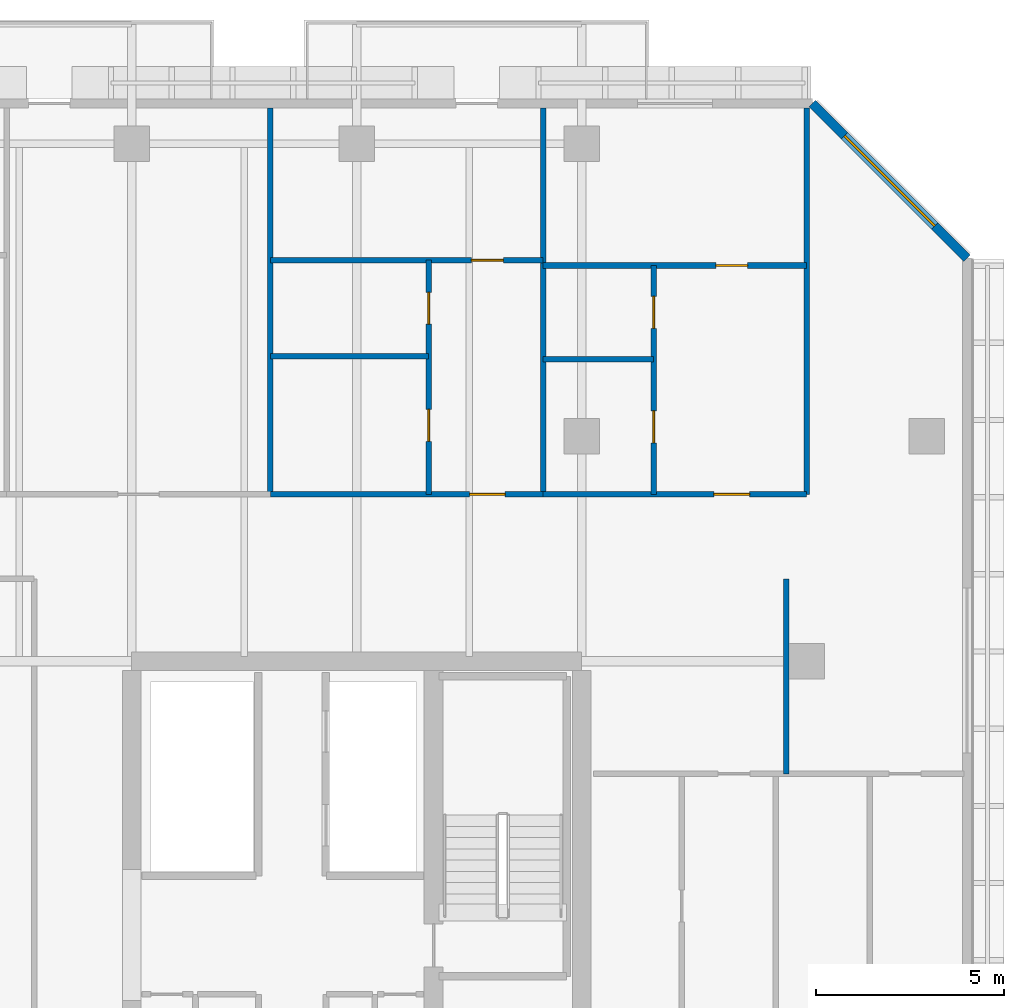
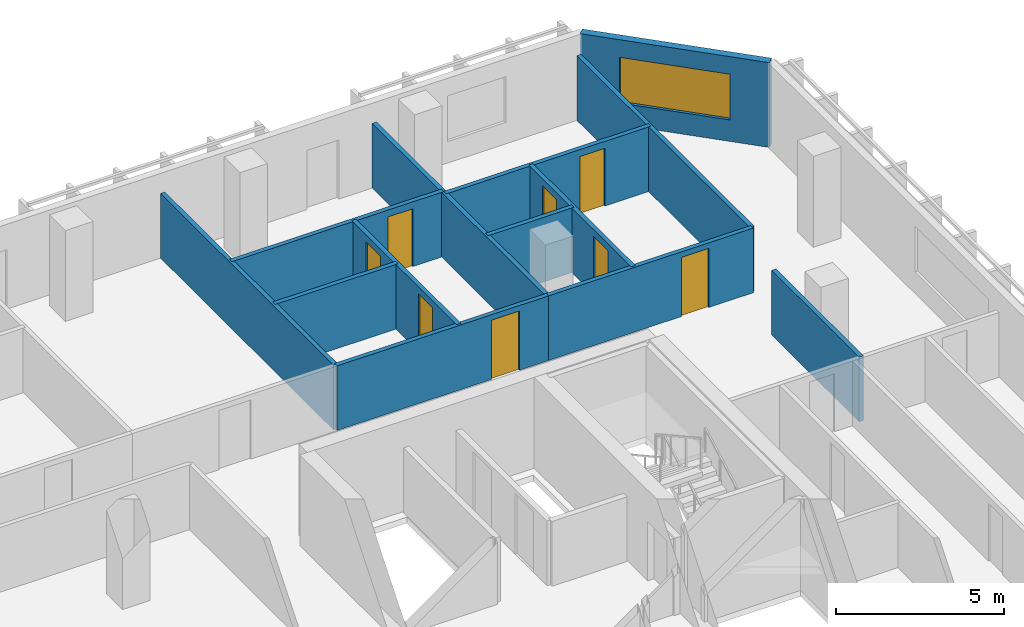
# One storey, part 16 of 23: 13 walls, 8 doors, 1 window, 9 openings.
"""IFC4 building model written with IfcOpenShell, lengths in metres."""

from ifc_helpers import new_model, si_unit, direction, frame, frame_2d, origin, place, context, subcontext, project, spatial, rectangle, extrude, material, layer, layer_set, type_object, element, fill, save


model = new_model("IFC4")

# Units and contexts
model_context = context("Model", 3, precision=1e-05, world=origin(), true_north=direction((0.0, 1.0)))
body_context = subcontext(model_context, "Body", "Model", "MODEL_VIEW")
ifc_project = project(units=[si_unit("LENGTHUNIT", "METRE"), si_unit("AREAUNIT", "SQUARE_METRE"), si_unit("VOLUMEUNIT", "CUBIC_METRE"), si_unit("PLANEANGLEUNIT", "RADIAN"), si_unit("MASSUNIT", "GRAM", prefix="KILO")], contexts=[model_context])

# Site, building, storey
site_placement = place(None, origin())
site = spatial("IfcSite", under=ifc_project, at=site_placement, CompositionType="ELEMENT")
building_placement = place(site_placement, origin())
building = spatial("IfcBuilding", under=site, at=building_placement, Name="Tanjung Sevakor Pilgrim Tower", CompositionType="ELEMENT")
storey_placement = place(building_placement, frame((0.0, 0.0, 105.27001953125)))
storey = spatial("IfcBuildingStorey", under=building, at=storey_placement, Name="L29", CompositionType="ELEMENT", Elevation=105.27001953125)

# Walls
ifc_material_1 = material(Name="Concrete C40/50", Category="concrete")
ifc_layer_1 = layer(ifc_material_1, 0.14990234375)
ifc_layer_set_1 = layer_set([ifc_layer_1], Name="WT-COMP-150")
wall_type_1 = type_object("IfcWallType", Name="WT-COMP-150", PredefinedType="SOLIDWALL", material=ifc_layer_set_1)
for number, where, z_axis, x_axis, name in (
    (1, (96.0, 47.050048828125, 0.0), (0.0, 0.0, 1.0), (0.0, 1.0, 0.0), "L29 Partition IW-L29-092"),
    (2, (81.696533203125, 47.050048828125, 0.0), (0.0, 0.0, 1.0), (0.0, 1.0, 0.0), "L29 Partition IW-L29-105"),
    (3, (88.969482421875, 47.050048828125, 0.0), (0.0, 0.0, 1.0), (0.0, 1.0, 0.0), "L29 Partition IW-L29-107"),
):
    element("IfcWall", number, at=place(storey_placement, frame(where, z_axis=z_axis, x_axis=x_axis)), inside=storey, type_object=wall_type_1, Name=name, PredefinedType="SOLIDWALL", context=body_context, shape_type="SweptSolid", body=[
        extrude(rectangle(XDim=10.300048828125, YDim=0.14990234375, at=frame_2d((5.14990234375, 0.0))), origin(), (0.0, 0.0, 1.0), 2.35009765625),
    ])

# Wall, opening, door
wall_1_placement = place(storey_placement, frame((81.696533203125, 47.050048828125, 0.0), z_axis=(0.0, 0.0, 1.0), x_axis=(1.0, 0.0, 0.0)))
wall_1 = element("IfcWall", 4, at=wall_1_placement, inside=storey, type_object=wall_type_1, Name="L29 Partition IW-L29-111", PredefinedType="SOLIDWALL", context=body_context, shape_type="SweptSolid", body=[
    extrude(rectangle(XDim=7.27294921875, YDim=0.14990234375, at=frame_2d((3.636474609375, 0.0))), origin(), (0.0, 0.0, 1.0), 2.35009765625),
])
opening_1_placement = place(wall_1_placement, frame((5.313232421875, 0.0, 0.0)))
opening_1 = element("IfcOpeningElement", 5, at=opening_1_placement, cuts=wall_1, Name="Opening ID-FD2", PredefinedType="OPENING", context=body_context, shape_type="SweptSolid", body=[
    extrude(rectangle(XDim=0.949951171875, YDim=2.14990234375, at=frame_2d((0.47509765625, 1.074951171875))), frame((0.0, 0.0849609375, 0.0), z_axis=(0.0, -1.0, 0.0), x_axis=(1.0, 0.0, 0.0)), (0.0, 0.0, 1.0), 0.169921875),
])
ifc_material_2 = material(Name="Fire-Rated Timber", Category="wood")
door_type_1 = type_object("IfcDoorType", Name="DT-FIRE-950", OperationType="NOTDEFINED", PredefinedType="DOOR", material=ifc_material_2)
door_1_placement = place(opening_1_placement, origin())
door_1 = element("IfcDoor", 6, at=door_1_placement, inside=storey, type_object=door_type_1, Name="Residence Entrance", OperationType="SINGLE_SWING_LEFT", OverallHeight=2.14990234375, OverallWidth=0.949951171875, PredefinedType="DOOR", context=body_context, shape_type="SweptSolid", body=[
    extrude(rectangle(XDim=0.949951171875, YDim=2.14990234375, at=frame_2d((0.47509765625, 1.074951171875))), frame((0.0, 0.02490234375, 0.0), z_axis=(0.0, -1.0, 0.0), x_axis=(1.0, 0.0, 0.0)), (0.0, 0.0, 1.0), 0.050048828125),
])
fill(opening_1, door_1)

wall_2_placement = place(storey_placement, frame((88.969482421875, 47.050048828125, 0.0), z_axis=(0.0, 0.0, 1.0), x_axis=(1.0, 0.0, 0.0)))
wall_2 = element("IfcWall", 7, at=wall_2_placement, inside=storey, type_object=wall_type_1, Name="L29 Partition IW-L29-115", PredefinedType="SOLIDWALL", context=body_context, shape_type="SweptSolid", body=[
    extrude(rectangle(XDim=7.030517578125, YDim=0.14990234375, at=frame_2d((3.51513671875, 0.0))), origin(), (0.0, 0.0, 1.0), 2.35009765625),
])
opening_2_placement = place(wall_2_placement, frame((4.555419921875, 0.0, 0.0)))
opening_2 = element("IfcOpeningElement", 8, at=opening_2_placement, cuts=wall_2, Name="Opening ID-FD2", PredefinedType="OPENING", context=body_context, shape_type="SweptSolid", body=[
    extrude(rectangle(XDim=0.949951171875, YDim=2.14990234375, at=frame_2d((0.47509765625, 1.074951171875))), frame((0.0, 0.0849609375, 0.0), z_axis=(0.0, -1.0, 0.0), x_axis=(1.0, 0.0, 0.0)), (0.0, 0.0, 1.0), 0.169921875),
])
door_2_placement = place(opening_2_placement, origin())
door_2 = element("IfcDoor", 9, at=door_2_placement, inside=storey, type_object=door_type_1, Name="Residence Entrance", OperationType="SINGLE_SWING_LEFT", OverallHeight=2.14990234375, OverallWidth=0.949951171875, PredefinedType="DOOR", context=body_context, shape_type="SweptSolid", body=[
    extrude(rectangle(XDim=0.949951171875, YDim=2.14990234375, at=frame_2d((0.47509765625, 1.074951171875))), frame((0.0, 0.02490234375, 0.0), z_axis=(0.0, -1.0, 0.0), x_axis=(1.0, 0.0, 0.0)), (0.0, 0.0, 1.0), 0.050048828125),
])
fill(opening_2, door_2)

# Wall, opening, window
ifc_material_3 = material(Name="Precast concrete C45/55", Category="concrete")
ifc_layer_2 = layer(ifc_material_3, 0.25)
ifc_layer_set_2 = layer_set([ifc_layer_2], Name="WT-EW-STN3")
wall_type_2 = type_object("IfcWallType", Name="WT-EW-STN3", PredefinedType="SOLIDWALL", material=ifc_layer_set_2)
wall_3_placement = place(storey_placement, frame((100.27490234375, 53.34814453125, 0.0), z_axis=(0.0, 0.0, 1.0), x_axis=(-0.70708586489, 0.707127696864, 0.0)))
wall_3 = element("IfcWall", 10, at=wall_3_placement, inside=storey, type_object=wall_type_2, Name="L29 MAIN Sculpted Corner Wall 7", PredefinedType="SOLIDWALL", context=body_context, shape_type="SweptSolid", body=[
    extrude(rectangle(XDim=5.836181640625, YDim=0.25, at=frame_2d((2.91796875, 0.0))), origin(), (0.0, 0.0, 1.0), 3.080078125),
])
opening_3_placement = place(wall_3_placement, frame((1.218017578125, 0.0, 0.780029296875)))
opening_3 = element("IfcOpeningElement", 11, at=opening_3_placement, cuts=wall_3, Name="Opening WN-CHM-1660", PredefinedType="OPENING", context=body_context, shape_type="SweptSolid", body=[
    extrude(rectangle(XDim=3.39990234375, YDim=1.659912109375, at=frame_2d((1.699951171875, 0.830078125))), frame((0.0, 0.135009765625, 0.0), z_axis=(0.0, -1.0, 0.0), x_axis=(1.0, 0.0, 0.0)), (0.0, 0.0, 1.0), 0.27001953125),
])
ifc_material_4 = material(Name="Thermally Broken Aluminium and Low-E Glass", Category="aluminium")
window_type = type_object("IfcWindowType", Name="WTYP-WN-CHM-1660", PartitioningType="DOUBLE_PANEL_VERTICAL", PredefinedType="WINDOW", material=ifc_material_4)
window_placement = place(opening_3_placement, origin())
window = element("IfcWindow", 12, at=window_placement, inside=storey, type_object=window_type, Name="L29 Facade Window 01", OverallHeight=1.659912109375, OverallWidth=3.39990234375, PartitioningType="SINGLE_PANEL", PredefinedType="WINDOW", context=body_context, shape_type="SweptSolid", body=[
    extrude(rectangle(XDim=3.39990234375, YDim=1.659912109375, at=frame_2d((1.699951171875, 0.830078125))), frame((0.0, 0.030029296875, 0.0), z_axis=(0.0, -1.0, 0.0), x_axis=(1.0, 0.0, 0.0)), (0.0, 0.0, 1.0), 0.06005859375),
])
fill(opening_3, window)

# Walls
ifc_material_5 = material(Name="Gypsum Board Partition", Category="gypsum board")
ifc_layer_3 = layer(ifc_material_5, 0.14990234375)
ifc_layer_set_3 = layer_set([ifc_layer_3], Name="WT-PART-150")
wall_type_3 = type_object("IfcWallType", Name="WT-PART-150", PredefinedType="PARTITIONING", material=ifc_layer_set_3)
wall_4_placement = place(storey_placement, frame((95.452392578125, 39.60009765625, 0.0), z_axis=(0.0, 0.0, 1.0), x_axis=(0.0, 1.0, 0.0)))
element("IfcWall", 13, at=wall_4_placement, inside=storey, type_object=wall_type_3, Name="L29 Partition IW-L29-042", PredefinedType="PARTITIONING", context=body_context, shape_type="SweptSolid", body=[
    extrude(rectangle(XDim=5.199951171875, YDim=0.14990234375, at=frame_2d((2.60009765625, 0.0))), origin(), (0.0, 0.0, 1.0), 2.35009765625),
])
wall_5_placement = place(storey_placement, frame((81.696533203125, 50.73388671875, 0.0), z_axis=(0.0, 0.0, 1.0), x_axis=(1.0, 0.0, 0.0)))
element("IfcWall", 14, at=wall_5_placement, inside=storey, type_object=wall_type_3, Name="L29 Partition IW-L29-108", PredefinedType="PARTITIONING", context=body_context, shape_type="SweptSolid", body=[
    extrude(rectangle(XDim=4.223388671875, YDim=0.14990234375, at=frame_2d((2.11181640625, 0.0))), origin(), (0.0, 0.0, 1.0), 2.35009765625),
])

# Wall, openings, doors
wall_6_placement = place(storey_placement, frame((85.919921875, 47.050048828125, 0.0), z_axis=(0.0, 0.0, 1.0), x_axis=(0.0, 1.0, 0.0)))
wall_6 = element("IfcWall", 15, at=wall_6_placement, inside=storey, type_object=wall_type_3, Name="L29 Partition IW-L29-109", PredefinedType="PARTITIONING", context=body_context, shape_type="SweptSolid", body=[
    extrude(rectangle(XDim=6.24365234375, YDim=0.14990234375, at=frame_2d((3.121826171875, 0.0))), origin(), (0.0, 0.0, 1.0), 2.35009765625),
])
opening_4_placement = place(wall_6_placement, frame((1.4169921875, 0.0, 0.0)))
opening_4 = element("IfcOpeningElement", 16, at=opening_4_placement, cuts=wall_6, Name="Opening ID-WC1", PredefinedType="OPENING", context=body_context, shape_type="SweptSolid", body=[
    extrude(rectangle(XDim=0.85009765625, YDim=2.10009765625, at=frame_2d((0.425048828125, 1.050048828125))), frame((0.0, 0.0849609375, 0.0), z_axis=(0.0, -1.0, 0.0), x_axis=(1.0, 0.0, 0.0)), (0.0, 0.0, 1.0), 0.169921875),
])
opening_5_placement = place(wall_6_placement, frame((4.538818359375, 0.0, 0.0)))
opening_5 = element("IfcOpeningElement", 17, at=opening_5_placement, cuts=wall_6, Name="Opening ID-WC1", PredefinedType="OPENING", context=body_context, shape_type="SweptSolid", body=[
    extrude(rectangle(XDim=0.85009765625, YDim=2.10009765625, at=frame_2d((0.425048828125, 1.050048828125))), frame((0.0, 0.0849609375, 0.0), z_axis=(0.0, -1.0, 0.0), x_axis=(1.0, 0.0, 0.0)), (0.0, 0.0, 1.0), 0.169921875),
])
ifc_material_6 = material(Name="Moisture-Resistant Timber", Category="wood")
door_type_2 = type_object("IfcDoorType", Name="DT-INT-850", OperationType="NOTDEFINED", PredefinedType="DOOR", material=ifc_material_6)
door_3_placement = place(opening_4_placement, origin())
door_3 = element("IfcDoor", 18, at=door_3_placement, inside=storey, type_object=door_type_2, Name="Residence Kitchenette Door", OperationType="SINGLE_SWING_RIGHT", OverallHeight=2.10009765625, OverallWidth=0.85009765625, PredefinedType="DOOR", context=body_context, shape_type="SweptSolid", body=[
    extrude(rectangle(XDim=0.85009765625, YDim=2.10009765625, at=frame_2d((0.425048828125, 1.050048828125))), frame((0.0, 0.02490234375, 0.0), z_axis=(0.0, -1.0, 0.0), x_axis=(1.0, 0.0, 0.0)), (0.0, 0.0, 1.0), 0.050048828125),
])
fill(opening_4, door_3)
door_4_placement = place(opening_5_placement, origin())
door_4 = element("IfcDoor", 19, at=door_4_placement, inside=storey, type_object=door_type_2, Name="Residence Bathroom Door", OperationType="SINGLE_SWING_LEFT", OverallHeight=2.10009765625, OverallWidth=0.85009765625, PredefinedType="DOOR", context=body_context, shape_type="SweptSolid", body=[
    extrude(rectangle(XDim=0.85009765625, YDim=2.10009765625, at=frame_2d((0.425048828125, 1.050048828125))), frame((0.0, 0.02490234375, 0.0), z_axis=(0.0, -1.0, 0.0), x_axis=(1.0, 0.0, 0.0)), (0.0, 0.0, 1.0), 0.050048828125),
])
fill(opening_5, door_4)

# Wall, opening, door
wall_7_placement = place(storey_placement, frame((81.696533203125, 53.293701171875, 0.0), z_axis=(0.0, 0.0, 1.0), x_axis=(1.0, 0.0, 0.0)))
wall_7 = element("IfcWall", 20, at=wall_7_placement, inside=storey, type_object=wall_type_3, Name="L29 Partition IW-L29-110", PredefinedType="PARTITIONING", context=body_context, shape_type="SweptSolid", body=[
    extrude(rectangle(XDim=7.27294921875, YDim=0.14990234375, at=frame_2d((3.636474609375, 0.0))), origin(), (0.0, 0.0, 1.0), 2.35009765625),
])
opening_6_placement = place(wall_7_placement, frame((5.36328125, 0.0, 0.0)))
opening_6 = element("IfcOpeningElement", 21, at=opening_6_placement, cuts=wall_7, Name="Opening ID-WC1", PredefinedType="OPENING", context=body_context, shape_type="SweptSolid", body=[
    extrude(rectangle(XDim=0.85009765625, YDim=2.10009765625, at=frame_2d((0.425048828125, 1.050048828125))), frame((0.0, 0.0849609375, 0.0), z_axis=(0.0, -1.0, 0.0), x_axis=(1.0, 0.0, 0.0)), (0.0, 0.0, 1.0), 0.169921875),
])
door_5_placement = place(opening_6_placement, origin())
door_5 = element("IfcDoor", 22, at=door_5_placement, inside=storey, type_object=door_type_2, Name="Residence Bedroom Door", OperationType="SINGLE_SWING_RIGHT", OverallHeight=2.10009765625, OverallWidth=0.85009765625, PredefinedType="DOOR", context=body_context, shape_type="SweptSolid", body=[
    extrude(rectangle(XDim=0.85009765625, YDim=2.10009765625, at=frame_2d((0.425048828125, 1.050048828125))), frame((0.0, 0.02490234375, 0.0), z_axis=(0.0, -1.0, 0.0), x_axis=(1.0, 0.0, 0.0)), (0.0, 0.0, 1.0), 0.050048828125),
])
fill(opening_6, door_5)

# Wall
wall_8_placement = place(storey_placement, frame((88.969482421875, 50.6513671875, 0.0), z_axis=(0.0, 0.0, 1.0), x_axis=(1.0, 0.0, 0.0)))
element("IfcWall", 23, at=wall_8_placement, inside=storey, type_object=wall_type_3, Name="L29 Partition IW-L29-112", PredefinedType="PARTITIONING", context=body_context, shape_type="SweptSolid", body=[
    extrude(rectangle(XDim=2.950439453125, YDim=0.14990234375, at=frame_2d((1.47509765625, 0.0))), origin(), (0.0, 0.0, 1.0), 2.35009765625),
])

# Wall, openings, doors
wall_9_placement = place(storey_placement, frame((91.919921875, 47.050048828125, 0.0), z_axis=(0.0, 0.0, 1.0), x_axis=(0.0, 1.0, 0.0)))
wall_9 = element("IfcWall", 24, at=wall_9_placement, inside=storey, type_object=wall_type_3, Name="L29 Partition IW-L29-113", PredefinedType="PARTITIONING", context=body_context, shape_type="SweptSolid", body=[
    extrude(rectangle(XDim=6.10400390625, YDim=0.14990234375, at=frame_2d((3.052001953125, 0.0))), origin(), (0.0, 0.0, 1.0), 2.35009765625),
])
opening_7_placement = place(wall_9_placement, frame((1.375732421875, 0.0, 0.0)))
opening_7 = element("IfcOpeningElement", 25, at=opening_7_placement, cuts=wall_9, Name="Opening ID-WC1", PredefinedType="OPENING", context=body_context, shape_type="SweptSolid", body=[
    extrude(rectangle(XDim=0.85009765625, YDim=2.10009765625, at=frame_2d((0.425048828125, 1.050048828125))), frame((0.0, 0.0849609375, 0.0), z_axis=(0.0, -1.0, 0.0), x_axis=(1.0, 0.0, 0.0)), (0.0, 0.0, 1.0), 0.169921875),
])
opening_8_placement = place(wall_9_placement, frame((4.427734375, 0.0, 0.0)))
opening_8 = element("IfcOpeningElement", 26, at=opening_8_placement, cuts=wall_9, Name="Opening ID-WC1", PredefinedType="OPENING", context=body_context, shape_type="SweptSolid", body=[
    extrude(rectangle(XDim=0.85009765625, YDim=2.10009765625, at=frame_2d((0.425048828125, 1.050048828125))), frame((0.0, 0.0849609375, 0.0), z_axis=(0.0, -1.0, 0.0), x_axis=(1.0, 0.0, 0.0)), (0.0, 0.0, 1.0), 0.169921875),
])
door_6_placement = place(opening_7_placement, origin())
door_6 = element("IfcDoor", 27, at=door_6_placement, inside=storey, type_object=door_type_2, Name="Residence Kitchenette Door", OperationType="SINGLE_SWING_RIGHT", OverallHeight=2.10009765625, OverallWidth=0.85009765625, PredefinedType="DOOR", context=body_context, shape_type="SweptSolid", body=[
    extrude(rectangle(XDim=0.85009765625, YDim=2.10009765625, at=frame_2d((0.425048828125, 1.050048828125))), frame((0.0, 0.02490234375, 0.0), z_axis=(0.0, -1.0, 0.0), x_axis=(1.0, 0.0, 0.0)), (0.0, 0.0, 1.0), 0.050048828125),
])
fill(opening_7, door_6)
door_7_placement = place(opening_8_placement, origin())
door_7 = element("IfcDoor", 28, at=door_7_placement, inside=storey, type_object=door_type_2, Name="Residence Bathroom Door", OperationType="SINGLE_SWING_LEFT", OverallHeight=2.10009765625, OverallWidth=0.85009765625, PredefinedType="DOOR", context=body_context, shape_type="SweptSolid", body=[
    extrude(rectangle(XDim=0.85009765625, YDim=2.10009765625, at=frame_2d((0.425048828125, 1.050048828125))), frame((0.0, 0.02490234375, 0.0), z_axis=(0.0, -1.0, 0.0), x_axis=(1.0, 0.0, 0.0)), (0.0, 0.0, 1.0), 0.050048828125),
])
fill(opening_8, door_7)

# Wall, opening, door
wall_10_placement = place(storey_placement, frame((88.969482421875, 53.154052734375, 0.0), z_axis=(0.0, 0.0, 1.0), x_axis=(1.0, 0.0, 0.0)))
wall_10 = element("IfcWall", 29, at=wall_10_placement, inside=storey, type_object=wall_type_3, Name="L29 Partition IW-L29-114", PredefinedType="PARTITIONING", context=body_context, shape_type="SweptSolid", body=[
    extrude(rectangle(XDim=7.030517578125, YDim=0.14990234375, at=frame_2d((3.51513671875, 0.0))), origin(), (0.0, 0.0, 1.0), 2.35009765625),
])
opening_9_placement = place(wall_10_placement, frame((4.60546875, 0.0, 0.0)))
opening_9 = element("IfcOpeningElement", 30, at=opening_9_placement, cuts=wall_10, Name="Opening ID-WC1", PredefinedType="OPENING", context=body_context, shape_type="SweptSolid", body=[
    extrude(rectangle(XDim=0.85009765625, YDim=2.10009765625, at=frame_2d((0.425048828125, 1.050048828125))), frame((0.0, 0.0849609375, 0.0), z_axis=(0.0, -1.0, 0.0), x_axis=(1.0, 0.0, 0.0)), (0.0, 0.0, 1.0), 0.169921875),
])
door_8_placement = place(opening_9_placement, origin())
door_8 = element("IfcDoor", 31, at=door_8_placement, inside=storey, type_object=door_type_2, Name="Residence Bedroom Door", OperationType="SINGLE_SWING_RIGHT", OverallHeight=2.10009765625, OverallWidth=0.85009765625, PredefinedType="DOOR", context=body_context, shape_type="SweptSolid", body=[
    extrude(rectangle(XDim=0.85009765625, YDim=2.10009765625, at=frame_2d((0.425048828125, 1.050048828125))), frame((0.0, 0.02490234375, 0.0), z_axis=(0.0, -1.0, 0.0), x_axis=(1.0, 0.0, 0.0)), (0.0, 0.0, 1.0), 0.050048828125),
])
fill(opening_9, door_8)

save(model, "model.ifc")
